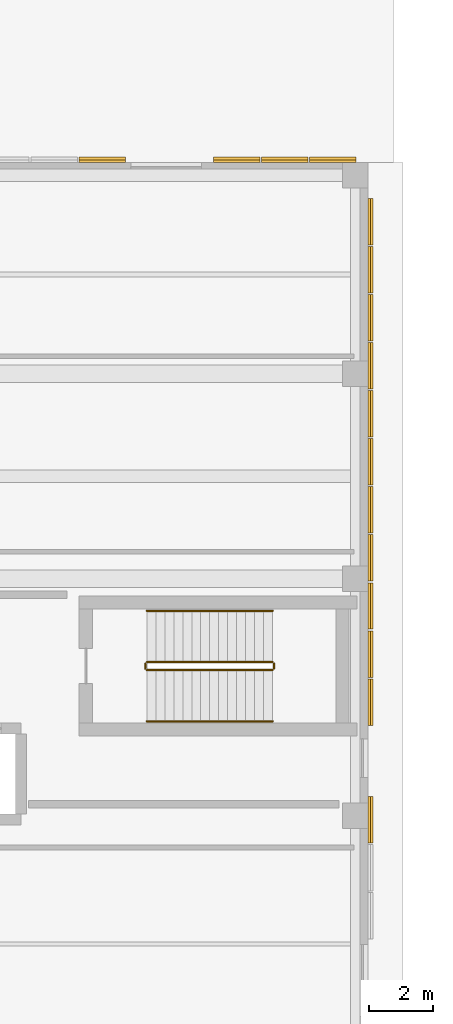
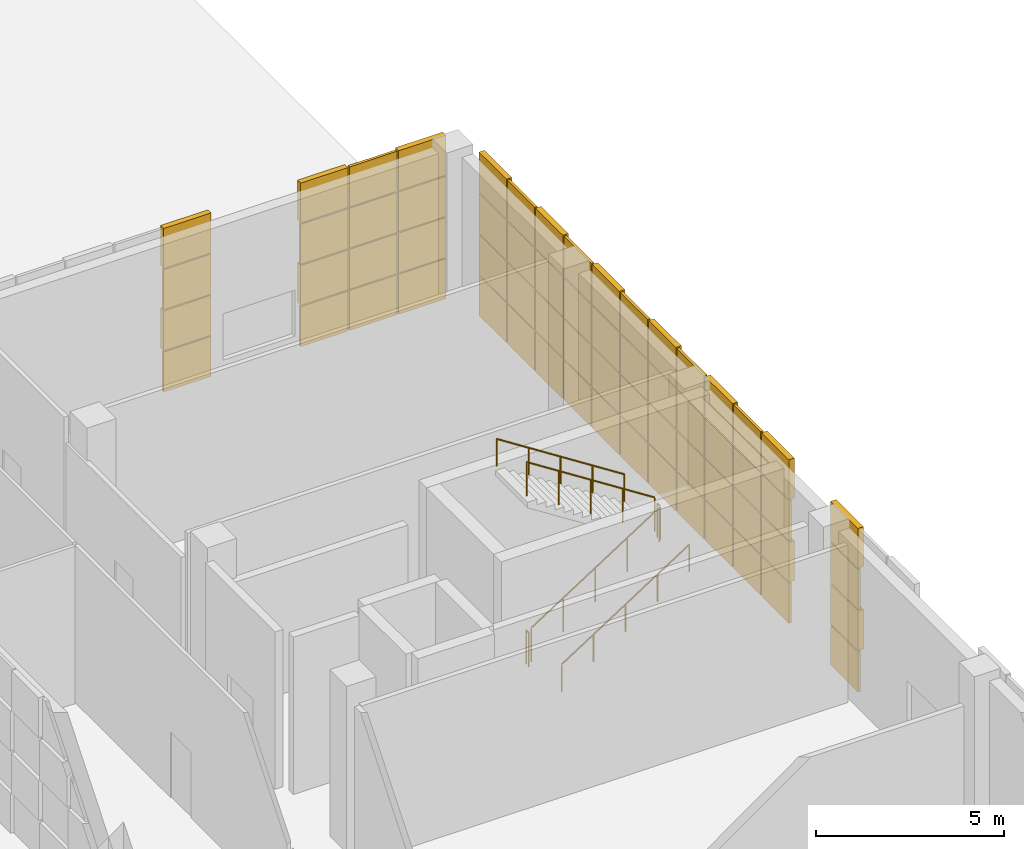
# One storey, part 37 of 40: 64 coverings, 6 railings.
"""IFC4 building model written with IfcOpenShell, lengths in metres."""

from ifc_helpers import new_model, si_unit, direction, frame, origin, origin_2d, place, context, subcontext, project, spatial, rectangle, circle, extrude, material, layer, layer_set, type_object, element, save


model = new_model("IFC4")

# Units and contexts
model_context = context("Model", 3, precision=1e-05, world=origin(), true_north=direction((0.0, 1.0)))
body_context = subcontext(model_context, "Body", "Model", "MODEL_VIEW")
ifc_project = project(units=[si_unit("LENGTHUNIT", "METRE"), si_unit("AREAUNIT", "SQUARE_METRE"), si_unit("VOLUMEUNIT", "CUBIC_METRE"), si_unit("PLANEANGLEUNIT", "RADIAN"), si_unit("MASSUNIT", "GRAM", prefix="KILO")], contexts=[model_context])

# Site, building, storey
site_placement = place(None, origin())
site = spatial("IfcSite", under=ifc_project, at=site_placement, CompositionType="ELEMENT")
building_placement = place(site_placement, origin())
building = spatial("IfcBuilding", under=site, at=building_placement, Name="Qalavern Law Courts", CompositionType="ELEMENT")
storey_placement = place(building_placement, origin())
storey = spatial("IfcBuildingStorey", under=building, at=storey_placement, Name="L00", CompositionType="ELEMENT", Elevation=0.0)

# Coverings
ifc_material_1 = material(Name="Precast concrete C40/50", Category="concrete")
ifc_layer_1 = layer(ifc_material_1, 0.06005859375)
ifc_layer_set_1 = layer_set([ifc_layer_1], Name="Precast concrete C40/50")
covering_type_1 = type_object("IfcCoveringType", Name="ENV-CLD-1", PredefinedType="CLADDING", material=ifc_layer_set_1)
covering_1_placement = place(storey_placement, frame((106.837890625, 65.280029296875, 2.719970703125), z_axis=(0.0, 0.0, 1.0), x_axis=(0.0, 1.0, 0.0)))
element("IfcCovering", 1, at=covering_1_placement, inside=storey, type_object=covering_type_1, Name="Cast drop-relief street-base tile 0871", PredefinedType="CLADDING", context=body_context, shape_type="SweptSolid", body=[
    extrude(rectangle(XDim=1.449951171875, YDim=0.083984375, at=origin_2d()), origin(), (0.0, 0.0, 1.0), 1.294921875),
])
for number, where, z_axis, x_axis, name in (
    (2, (106.8798828125, 68.949951171875, 1.385009765625), (0.0, 0.0, 1.0), (0.0, 1.0, 0.0), "Cast drop-relief street-base tile 0874"),
    (3, (106.8798828125, 70.449951171875, 0.050048828125), (0.0, 0.0, 1.0), (0.0, 1.0, 0.0), "Cast drop-relief street-base tile 0877"),
):
    element("IfcCovering", number, at=place(storey_placement, frame(where, z_axis=z_axis, x_axis=x_axis)), inside=storey, type_object=covering_type_1, Name=name, PredefinedType="CLADDING", context=body_context, shape_type="SweptSolid", body=[
        extrude(rectangle(XDim=1.449951171875, YDim=0.16796875, at=origin_2d()), origin(), (0.0, 0.0, 1.0), 1.294921875),
    ])
for number, where, z_axis, x_axis, name in (
    (4, (106.837890625, 70.449951171875, 4.054931640625), (0.0, 0.0, 1.0), (0.0, 1.0, 0.0), "Cast drop-relief street-base tile 0880"),
    (5, (106.837890625, 71.949951171875, 2.719970703125), (0.0, 0.0, 1.0), (0.0, 1.0, 0.0), "Cast drop-relief street-base tile 0883"),
    (6, (106.837890625, 73.449951171875, 1.385009765625), (0.0, 0.0, 1.0), (0.0, 1.0, 0.0), "Cast drop-relief street-base tile 0886"),
    (7, (106.837890625, 74.949951171875, 0.050048828125), (0.0, 0.0, 1.0), (0.0, 1.0, 0.0), "Cast drop-relief street-base tile 0889"),
):
    element("IfcCovering", number, at=place(storey_placement, frame(where, z_axis=z_axis, x_axis=x_axis)), inside=storey, type_object=covering_type_1, Name=name, PredefinedType="CLADDING", context=body_context, shape_type="SweptSolid", body=[
        extrude(rectangle(XDim=1.449951171875, YDim=0.083984375, at=origin_2d()), origin(), (0.0, 0.0, 1.0), 1.294921875),
    ])
for number, where, z_axis, x_axis, name in (
    (8, (106.8798828125, 74.949951171875, 4.054931640625), (0.0, 0.0, 1.0), (0.0, 1.0, 0.0), "Cast drop-relief street-base tile 0892"),
    (9, (106.8798828125, 76.449951171875, 2.719970703125), (0.0, 0.0, 1.0), (0.0, 1.0, 0.0), "Cast drop-relief street-base tile 0895"),
    (10, (106.8798828125, 77.949951171875, 1.385009765625), (0.0, 0.0, 1.0), (0.0, 1.0, 0.0), "Cast drop-relief street-base tile 0898"),
    (11, (106.8798828125, 79.449951171875, 0.050048828125), (0.0, 0.0, 1.0), (0.0, 1.0, 0.0), "Cast drop-relief street-base tile 0901"),
):
    element("IfcCovering", number, at=place(storey_placement, frame(where, z_axis=z_axis, x_axis=x_axis)), inside=storey, type_object=covering_type_1, Name=name, PredefinedType="CLADDING", context=body_context, shape_type="SweptSolid", body=[
        extrude(rectangle(XDim=1.449951171875, YDim=0.16796875, at=origin_2d()), origin(), (0.0, 0.0, 1.0), 1.294921875),
    ])
for number, where, z_axis, x_axis, name in (
    (12, (106.837890625, 79.449951171875, 4.054931640625), (0.0, 0.0, 1.0), (0.0, 1.0, 0.0), "Cast drop-relief street-base tile 0904"),
    (13, (106.837890625, 80.949951171875, 2.719970703125), (0.0, 0.0, 1.0), (0.0, 1.0, 0.0), "Cast drop-relief street-base tile 0907"),
    (14, (106.837890625, 82.449951171875, 1.385009765625), (0.0, 0.0, 1.0), (0.0, 1.0, 0.0), "Cast drop-relief street-base tile 0910"),
    (15, (106.837890625, 83.949951171875, 0.050048828125), (0.0, 0.0, 1.0), (0.0, 1.0, 0.0), "Cast drop-relief street-base tile 0913"),
):
    element("IfcCovering", number, at=place(storey_placement, frame(where, z_axis=z_axis, x_axis=x_axis)), inside=storey, type_object=covering_type_1, Name=name, PredefinedType="CLADDING", context=body_context, shape_type="SweptSolid", body=[
        extrude(rectangle(XDim=1.449951171875, YDim=0.083984375, at=origin_2d()), origin(), (0.0, 0.0, 1.0), 1.294921875),
    ])
for number, where, z_axis, x_axis, name in (
    (16, (106.8798828125, 83.949951171875, 4.054931640625), (0.0, 0.0, 1.0), (0.0, 1.0, 0.0), "Cast drop-relief street-base tile 0916"),
    (17, (105.699951171875, 85.8798828125, 1.385009765625), (0.0, 0.0, 1.0), (-1.0, 0.0, 0.0), "Cast drop-relief street-base tile 0918"),
    (18, (104.199951171875, 85.8798828125, 0.050048828125), (0.0, 0.0, 1.0), (-1.0, 0.0, 0.0), "Cast drop-relief street-base tile 0921"),
):
    element("IfcCovering", number, at=place(storey_placement, frame(where, z_axis=z_axis, x_axis=x_axis)), inside=storey, type_object=covering_type_1, Name=name, PredefinedType="CLADDING", context=body_context, shape_type="SweptSolid", body=[
        extrude(rectangle(XDim=1.449951171875, YDim=0.16796875, at=origin_2d()), origin(), (0.0, 0.0, 1.0), 1.294921875),
    ])
for number, where, z_axis, x_axis, name in (
    (19, (104.199951171875, 85.837890625, 4.054931640625), (0.0, 0.0, 1.0), (-1.0, 0.0, 0.0), "Cast drop-relief street-base tile 0924"),
    (20, (102.699951171875, 85.837890625, 2.719970703125), (0.0, 0.0, 1.0), (-1.0, 0.0, 0.0), "Cast drop-relief street-base tile 0927"),
):
    element("IfcCovering", number, at=place(storey_placement, frame(where, z_axis=z_axis, x_axis=x_axis)), inside=storey, type_object=covering_type_1, Name=name, PredefinedType="CLADDING", context=body_context, shape_type="SweptSolid", body=[
        extrude(rectangle(XDim=1.449951171875, YDim=0.083984375, at=origin_2d()), origin(), (0.0, 0.0, 1.0), 1.294921875),
    ])
covering_2_placement = place(storey_placement, frame((98.5, 85.8798828125, 1.385009765625), z_axis=(0.0, 0.0, 1.0), x_axis=(-1.0, 0.0, 0.0)))
element("IfcCovering", 21, at=covering_2_placement, inside=storey, type_object=covering_type_1, Name="Cast drop-relief street-base tile 0930", PredefinedType="CLADDING", context=body_context, shape_type="SweptSolid", body=[
    extrude(rectangle(XDim=1.449951171875, YDim=0.16796875, at=origin_2d()), origin(), (0.0, 0.0, 1.0), 1.294921875),
])
ifc_layer_2 = layer(ifc_material_1, 0.072021484375)
ifc_layer_set_2 = layer_set([ifc_layer_2], Name="Precast concrete C40/50")
covering_type_2 = type_object("IfcCoveringType", Name="ENV-CLD-2", PredefinedType="CLADDING", material=ifc_layer_set_2)
covering_3_placement = place(storey_placement, frame((106.837890625, 65.280029296875, 0.050048828125), z_axis=(0.0, 0.0, 1.0), x_axis=(0.0, 1.0, 0.0)))
element("IfcCovering", 22, at=covering_3_placement, inside=storey, type_object=covering_type_2, Name="Cast drop-relief street-base tile 0869", PredefinedType="CLADDING", context=body_context, shape_type="SweptSolid", body=[
    extrude(rectangle(XDim=1.449951171875, YDim=0.083984375, at=origin_2d()), origin(), (0.0, 0.0, 1.0), 1.294921875),
])
covering_4_placement = place(storey_placement, frame((106.8798828125, 65.280029296875, 4.054931640625), z_axis=(0.0, 0.0, 1.0), x_axis=(0.0, 1.0, 0.0)))
element("IfcCovering", 23, at=covering_4_placement, inside=storey, type_object=covering_type_2, Name="Cast drop-relief street-base tile 0872", PredefinedType="CLADDING", context=body_context, shape_type="SweptSolid", body=[
    extrude(rectangle(XDim=1.449951171875, YDim=0.16796875, at=origin_2d()), origin(), (0.0, 0.0, 1.0), 1.294921875),
])
for number, where, z_axis, x_axis, name in (
    (24, (106.837890625, 68.949951171875, 2.719970703125), (0.0, 0.0, 1.0), (0.0, 1.0, 0.0), "Cast drop-relief street-base tile 0875"),
    (25, (106.837890625, 70.449951171875, 1.385009765625), (0.0, 0.0, 1.0), (0.0, 1.0, 0.0), "Cast drop-relief street-base tile 0878"),
    (26, (106.837890625, 71.949951171875, 0.050048828125), (0.0, 0.0, 1.0), (0.0, 1.0, 0.0), "Cast drop-relief street-base tile 0881"),
):
    element("IfcCovering", number, at=place(storey_placement, frame(where, z_axis=z_axis, x_axis=x_axis)), inside=storey, type_object=covering_type_2, Name=name, PredefinedType="CLADDING", context=body_context, shape_type="SweptSolid", body=[
        extrude(rectangle(XDim=1.449951171875, YDim=0.083984375, at=origin_2d()), origin(), (0.0, 0.0, 1.0), 1.294921875),
    ])
for number, where, z_axis, x_axis, name in (
    (27, (106.8798828125, 71.949951171875, 4.054931640625), (0.0, 0.0, 1.0), (0.0, 1.0, 0.0), "Cast drop-relief street-base tile 0884"),
    (28, (106.8798828125, 73.449951171875, 2.719970703125), (0.0, 0.0, 1.0), (0.0, 1.0, 0.0), "Cast drop-relief street-base tile 0887"),
    (29, (106.8798828125, 74.949951171875, 1.385009765625), (0.0, 0.0, 1.0), (0.0, 1.0, 0.0), "Cast drop-relief street-base tile 0890"),
    (30, (106.8798828125, 76.449951171875, 0.050048828125), (0.0, 0.0, 1.0), (0.0, 1.0, 0.0), "Cast drop-relief street-base tile 0893"),
):
    element("IfcCovering", number, at=place(storey_placement, frame(where, z_axis=z_axis, x_axis=x_axis)), inside=storey, type_object=covering_type_2, Name=name, PredefinedType="CLADDING", context=body_context, shape_type="SweptSolid", body=[
        extrude(rectangle(XDim=1.449951171875, YDim=0.16796875, at=origin_2d()), origin(), (0.0, 0.0, 1.0), 1.294921875),
    ])
for number, where, z_axis, x_axis, name in (
    (31, (106.837890625, 76.449951171875, 4.054931640625), (0.0, 0.0, 1.0), (0.0, 1.0, 0.0), "Cast drop-relief street-base tile 0896"),
    (32, (106.837890625, 77.949951171875, 2.719970703125), (0.0, 0.0, 1.0), (0.0, 1.0, 0.0), "Cast drop-relief street-base tile 0899"),
    (33, (106.837890625, 79.449951171875, 1.385009765625), (0.0, 0.0, 1.0), (0.0, 1.0, 0.0), "Cast drop-relief street-base tile 0902"),
    (34, (106.837890625, 80.949951171875, 0.050048828125), (0.0, 0.0, 1.0), (0.0, 1.0, 0.0), "Cast drop-relief street-base tile 0905"),
):
    element("IfcCovering", number, at=place(storey_placement, frame(where, z_axis=z_axis, x_axis=x_axis)), inside=storey, type_object=covering_type_2, Name=name, PredefinedType="CLADDING", context=body_context, shape_type="SweptSolid", body=[
        extrude(rectangle(XDim=1.449951171875, YDim=0.083984375, at=origin_2d()), origin(), (0.0, 0.0, 1.0), 1.294921875),
    ])
for number, where, z_axis, x_axis, name in (
    (35, (106.8798828125, 80.949951171875, 4.054931640625), (0.0, 0.0, 1.0), (0.0, 1.0, 0.0), "Cast drop-relief street-base tile 0908"),
    (36, (106.8798828125, 82.449951171875, 2.719970703125), (0.0, 0.0, 1.0), (0.0, 1.0, 0.0), "Cast drop-relief street-base tile 0911"),
    (37, (106.8798828125, 83.949951171875, 1.385009765625), (0.0, 0.0, 1.0), (0.0, 1.0, 0.0), "Cast drop-relief street-base tile 0914"),
):
    element("IfcCovering", number, at=place(storey_placement, frame(where, z_axis=z_axis, x_axis=x_axis)), inside=storey, type_object=covering_type_2, Name=name, PredefinedType="CLADDING", context=body_context, shape_type="SweptSolid", body=[
        extrude(rectangle(XDim=1.449951171875, YDim=0.16796875, at=origin_2d()), origin(), (0.0, 0.0, 1.0), 1.294921875),
    ])
for number, where, z_axis, x_axis, name in (
    (38, (105.699951171875, 85.837890625, 2.719970703125), (0.0, 0.0, 1.0), (-1.0, 0.0, 0.0), "Cast drop-relief street-base tile 0919"),
    (39, (104.199951171875, 85.837890625, 1.385009765625), (0.0, 0.0, 1.0), (-1.0, 0.0, 0.0), "Cast drop-relief street-base tile 0922"),
    (40, (102.699951171875, 85.837890625, 0.050048828125), (0.0, 0.0, 1.0), (-1.0, 0.0, 0.0), "Cast drop-relief street-base tile 0925"),
):
    element("IfcCovering", number, at=place(storey_placement, frame(where, z_axis=z_axis, x_axis=x_axis)), inside=storey, type_object=covering_type_2, Name=name, PredefinedType="CLADDING", context=body_context, shape_type="SweptSolid", body=[
        extrude(rectangle(XDim=1.449951171875, YDim=0.083984375, at=origin_2d()), origin(), (0.0, 0.0, 1.0), 1.294921875),
    ])
covering_5_placement = place(storey_placement, frame((102.699951171875, 85.8798828125, 4.054931640625), z_axis=(0.0, 0.0, 1.0), x_axis=(-1.0, 0.0, 0.0)))
element("IfcCovering", 41, at=covering_5_placement, inside=storey, type_object=covering_type_2, Name="Cast drop-relief street-base tile 0928", PredefinedType="CLADDING", context=body_context, shape_type="SweptSolid", body=[
    extrude(rectangle(XDim=1.449951171875, YDim=0.16796875, at=origin_2d()), origin(), (0.0, 0.0, 1.0), 1.294921875),
])
covering_6_placement = place(storey_placement, frame((98.5, 85.837890625, 2.719970703125), z_axis=(0.0, 0.0, 1.0), x_axis=(-1.0, 0.0, 0.0)))
element("IfcCovering", 42, at=covering_6_placement, inside=storey, type_object=covering_type_2, Name="Cast drop-relief street-base tile 0931", PredefinedType="CLADDING", context=body_context, shape_type="SweptSolid", body=[
    extrude(rectangle(XDim=1.449951171875, YDim=0.083984375, at=origin_2d()), origin(), (0.0, 0.0, 1.0), 1.294921875),
])
ifc_layer_3 = layer(ifc_material_1, 0.083984375)
ifc_layer_set_3 = layer_set([ifc_layer_3], Name="Precast concrete C40/50")
covering_type_3 = type_object("IfcCoveringType", Name="ENV-CLD-3", PredefinedType="CLADDING", material=ifc_layer_set_3)
covering_7_placement = place(storey_placement, frame((106.8798828125, 65.280029296875, 1.385009765625), z_axis=(0.0, 0.0, 1.0), x_axis=(0.0, 1.0, 0.0)))
element("IfcCovering", 43, at=covering_7_placement, inside=storey, type_object=covering_type_3, Name="Cast drop-relief street-base tile 0870", PredefinedType="CLADDING", context=body_context, shape_type="SweptSolid", body=[
    extrude(rectangle(XDim=1.449951171875, YDim=0.16796875, at=origin_2d()), origin(), (0.0, 0.0, 1.0), 1.294921875),
])
covering_8_placement = place(storey_placement, frame((106.837890625, 68.949951171875, 0.050048828125), z_axis=(0.0, 0.0, 1.0), x_axis=(0.0, 1.0, 0.0)))
element("IfcCovering", 44, at=covering_8_placement, inside=storey, type_object=covering_type_3, Name="Cast drop-relief street-base tile 0873", PredefinedType="CLADDING", context=body_context, shape_type="SweptSolid", body=[
    extrude(rectangle(XDim=1.449951171875, YDim=0.083984375, at=origin_2d()), origin(), (0.0, 0.0, 1.0), 1.294921875),
])
for number, where, z_axis, x_axis, name in (
    (45, (106.8798828125, 68.949951171875, 4.054931640625), (0.0, 0.0, 1.0), (0.0, 1.0, 0.0), "Cast drop-relief street-base tile 0876"),
    (46, (106.8798828125, 70.449951171875, 2.719970703125), (0.0, 0.0, 1.0), (0.0, 1.0, 0.0), "Cast drop-relief street-base tile 0879"),
    (47, (106.8798828125, 71.949951171875, 1.385009765625), (0.0, 0.0, 1.0), (0.0, 1.0, 0.0), "Cast drop-relief street-base tile 0882"),
    (48, (106.8798828125, 73.449951171875, 0.050048828125), (0.0, 0.0, 1.0), (0.0, 1.0, 0.0), "Cast drop-relief street-base tile 0885"),
):
    element("IfcCovering", number, at=place(storey_placement, frame(where, z_axis=z_axis, x_axis=x_axis)), inside=storey, type_object=covering_type_3, Name=name, PredefinedType="CLADDING", context=body_context, shape_type="SweptSolid", body=[
        extrude(rectangle(XDim=1.449951171875, YDim=0.16796875, at=origin_2d()), origin(), (0.0, 0.0, 1.0), 1.294921875),
    ])
for number, where, z_axis, x_axis, name in (
    (49, (106.837890625, 73.449951171875, 4.054931640625), (0.0, 0.0, 1.0), (0.0, 1.0, 0.0), "Cast drop-relief street-base tile 0888"),
    (50, (106.837890625, 74.949951171875, 2.719970703125), (0.0, 0.0, 1.0), (0.0, 1.0, 0.0), "Cast drop-relief street-base tile 0891"),
    (51, (106.837890625, 76.449951171875, 1.385009765625), (0.0, 0.0, 1.0), (0.0, 1.0, 0.0), "Cast drop-relief street-base tile 0894"),
    (52, (106.837890625, 77.949951171875, 0.050048828125), (0.0, 0.0, 1.0), (0.0, 1.0, 0.0), "Cast drop-relief street-base tile 0897"),
):
    element("IfcCovering", number, at=place(storey_placement, frame(where, z_axis=z_axis, x_axis=x_axis)), inside=storey, type_object=covering_type_3, Name=name, PredefinedType="CLADDING", context=body_context, shape_type="SweptSolid", body=[
        extrude(rectangle(XDim=1.449951171875, YDim=0.083984375, at=origin_2d()), origin(), (0.0, 0.0, 1.0), 1.294921875),
    ])
for number, where, z_axis, x_axis, name in (
    (53, (106.8798828125, 77.949951171875, 4.054931640625), (0.0, 0.0, 1.0), (0.0, 1.0, 0.0), "Cast drop-relief street-base tile 0900"),
    (54, (106.8798828125, 79.449951171875, 2.719970703125), (0.0, 0.0, 1.0), (0.0, 1.0, 0.0), "Cast drop-relief street-base tile 0903"),
    (55, (106.8798828125, 80.949951171875, 1.385009765625), (0.0, 0.0, 1.0), (0.0, 1.0, 0.0), "Cast drop-relief street-base tile 0906"),
    (56, (106.8798828125, 82.449951171875, 0.050048828125), (0.0, 0.0, 1.0), (0.0, 1.0, 0.0), "Cast drop-relief street-base tile 0909"),
):
    element("IfcCovering", number, at=place(storey_placement, frame(where, z_axis=z_axis, x_axis=x_axis)), inside=storey, type_object=covering_type_3, Name=name, PredefinedType="CLADDING", context=body_context, shape_type="SweptSolid", body=[
        extrude(rectangle(XDim=1.449951171875, YDim=0.16796875, at=origin_2d()), origin(), (0.0, 0.0, 1.0), 1.294921875),
    ])
for number, where, z_axis, x_axis, name in (
    (57, (106.837890625, 82.449951171875, 4.054931640625), (0.0, 0.0, 1.0), (0.0, 1.0, 0.0), "Cast drop-relief street-base tile 0912"),
    (58, (106.837890625, 83.949951171875, 2.719970703125), (0.0, 0.0, 1.0), (0.0, 1.0, 0.0), "Cast drop-relief street-base tile 0915"),
    (59, (105.699951171875, 85.837890625, 0.050048828125), (0.0, 0.0, 1.0), (-1.0, 0.0, 0.0), "Cast drop-relief street-base tile 0917"),
):
    element("IfcCovering", number, at=place(storey_placement, frame(where, z_axis=z_axis, x_axis=x_axis)), inside=storey, type_object=covering_type_3, Name=name, PredefinedType="CLADDING", context=body_context, shape_type="SweptSolid", body=[
        extrude(rectangle(XDim=1.449951171875, YDim=0.083984375, at=origin_2d()), origin(), (0.0, 0.0, 1.0), 1.294921875),
    ])
for number, where, z_axis, x_axis, name in (
    (60, (105.699951171875, 85.8798828125, 4.054931640625), (0.0, 0.0, 1.0), (-1.0, 0.0, 0.0), "Cast drop-relief street-base tile 0920"),
    (61, (104.199951171875, 85.8798828125, 2.719970703125), (0.0, 0.0, 1.0), (-1.0, 0.0, 0.0), "Cast drop-relief street-base tile 0923"),
    (62, (102.699951171875, 85.8798828125, 1.385009765625), (0.0, 0.0, 1.0), (-1.0, 0.0, 0.0), "Cast drop-relief street-base tile 0926"),
):
    element("IfcCovering", number, at=place(storey_placement, frame(where, z_axis=z_axis, x_axis=x_axis)), inside=storey, type_object=covering_type_3, Name=name, PredefinedType="CLADDING", context=body_context, shape_type="SweptSolid", body=[
        extrude(rectangle(XDim=1.449951171875, YDim=0.16796875, at=origin_2d()), origin(), (0.0, 0.0, 1.0), 1.294921875),
    ])
covering_9_placement = place(storey_placement, frame((98.5, 85.837890625, 0.050048828125), z_axis=(0.0, 0.0, 1.0), x_axis=(-1.0, 0.0, 0.0)))
element("IfcCovering", 63, at=covering_9_placement, inside=storey, type_object=covering_type_3, Name="Cast drop-relief street-base tile 0929", PredefinedType="CLADDING", context=body_context, shape_type="SweptSolid", body=[
    extrude(rectangle(XDim=1.449951171875, YDim=0.083984375, at=origin_2d()), origin(), (0.0, 0.0, 1.0), 1.294921875),
])
covering_10_placement = place(storey_placement, frame((98.5, 85.8798828125, 4.054931640625), z_axis=(0.0, 0.0, 1.0), x_axis=(-1.0, 0.0, 0.0)))
element("IfcCovering", 64, at=covering_10_placement, inside=storey, type_object=covering_type_3, Name="Cast drop-relief street-base tile 0932", PredefinedType="CLADDING", context=body_context, shape_type="SweptSolid", body=[
    extrude(rectangle(XDim=1.449951171875, YDim=0.16796875, at=origin_2d()), origin(), (0.0, 0.0, 1.0), 1.294921875),
])

# Railings
ifc_material_2 = material(Name="Steel S355", Category="steel")
railing_type_1 = type_object("IfcRailingType", Name="INT-GUARD-1120", PredefinedType="BALUSTRADE", material=ifc_material_2)
railing_1_placement = place(storey_placement, frame((99.89990234375, 69.949951171875, 0.179931640625)))
element("IfcRailing", 65, at=railing_1_placement, inside=storey, type_object=railing_type_1, Name="L00 ST-K1B stair guard 1", PredefinedType="BALUSTRADE", context=body_context, shape_type="SweptSolid", body=[
    extrude(circle(Radius=0.02392578125, at=origin_2d()), frame((0.0, 0.0, 1.09619140625), z_axis=(0.841186985886, 0.0, 0.540744352514), x_axis=(0.0, 1.0, 0.0)), (0.0, 0.0, 1.0), 4.660400390625),
    extrude(circle(Radius=0.02099609375, at=origin_2d()), origin(), (0.0, 0.0, 1.0), 1.072021484375),
    extrude(circle(Radius=0.02099609375, at=origin_2d()), frame((0.97998046875, 0.0, 0.6298828125)), (0.0, 0.0, 1.0), 1.072021484375),
    extrude(circle(Radius=0.02099609375, at=origin_2d()), frame((1.9599609375, 0.0, 1.260009765625)), (0.0, 0.0, 1.0), 1.072021484375),
    extrude(circle(Radius=0.02099609375, at=origin_2d()), frame((2.940185546875, 0.0, 1.89013671875)), (0.0, 0.0, 1.0), 1.072021484375),
    extrude(circle(Radius=0.02099609375, at=origin_2d()), frame((3.920166015625, 0.0, 2.52001953125)), (0.0, 0.0, 1.0), 1.072021484375),
])
railing_2_placement = place(storey_placement, frame((103.8701171875, 70.0, 2.699951171875)))
element("IfcRailing", 66, at=railing_2_placement, inside=storey, type_object=railing_type_1, Name="L00 ST-K1B stair guard 2", PredefinedType="BALUSTRADE", context=body_context, shape_type="SweptSolid", body=[
    extrude(circle(Radius=0.02392578125, at=origin_2d()), frame((0.0, 0.0, 1.09619140625), z_axis=(0.0, 1.0, 0.0), x_axis=(-1.0, 0.0, 0.0)), (0.0, 0.0, 1.0), 0.14990234375),
    extrude(circle(Radius=0.02099609375, at=origin_2d()), origin(), (0.0, 0.0, 1.0), 1.072021484375),
    extrude(circle(Radius=0.02099609375, at=origin_2d()), frame((0.0, 0.14990234375, 0.0)), (0.0, 0.0, 1.0), 1.072021484375),
])
railing_3_placement = place(storey_placement, frame((103.820068359375, 70.199951171875, 2.8798828125)))
element("IfcRailing", 67, at=railing_3_placement, inside=storey, type_object=railing_type_1, Name="L00 ST-K1B stair guard 3", PredefinedType="BALUSTRADE", context=body_context, shape_type="SweptSolid", body=[
    extrude(circle(Radius=0.02392578125, at=origin_2d()), frame((0.0, 0.0, 1.09619140625), z_axis=(-0.841186985886, 0.0, 0.540744352514), x_axis=(0.0, -1.0, 0.0)), (0.0, 0.0, 1.0), 4.660400390625),
    extrude(circle(Radius=0.02099609375, at=origin_2d()), origin(), (0.0, 0.0, 1.0), 1.072021484375),
    extrude(circle(Radius=0.02099609375, at=origin_2d()), frame((-0.97998046875, 0.0, 0.6298828125)), (0.0, 0.0, 1.0), 1.072021484375),
    extrude(circle(Radius=0.02099609375, at=origin_2d()), frame((-1.9599609375, 0.0, 1.260009765625)), (0.0, 0.0, 1.0), 1.072021484375),
    extrude(circle(Radius=0.02099609375, at=origin_2d()), frame((-2.940185546875, 0.0, 1.89013671875)), (0.0, 0.0, 1.0), 1.072021484375),
    extrude(circle(Radius=0.02099609375, at=origin_2d()), frame((-3.920166015625, 0.0, 2.52001953125)), (0.0, 0.0, 1.0), 1.072021484375),
])
railing_4_placement = place(storey_placement, frame((99.85009765625, 70.0, 0.0)))
element("IfcRailing", 68, at=railing_4_placement, inside=storey, type_object=railing_type_1, Name="L00 ST-K1B stair guard 4", PredefinedType="BALUSTRADE", context=body_context, shape_type="SweptSolid", body=[
    extrude(circle(Radius=0.02392578125, at=origin_2d()), frame((0.0, 0.0, 1.09619140625), z_axis=(0.0, 1.0, 0.0), x_axis=(-1.0, 0.0, 0.0)), (0.0, 0.0, 1.0), 0.14990234375),
    extrude(circle(Radius=0.02099609375, at=origin_2d()), origin(), (0.0, 0.0, 1.0), 1.072021484375),
    extrude(circle(Radius=0.02099609375, at=origin_2d()), frame((0.0, 0.14990234375, 0.0)), (0.0, 0.0, 1.0), 1.072021484375),
])
railing_type_2 = type_object("IfcRailingType", Name="INT-HRAIL-920", PredefinedType="HANDRAIL", material=ifc_material_2)
railing_5_placement = place(storey_placement, frame((99.89990234375, 68.35009765625, 0.179931640625)))
element("IfcRailing", 69, at=railing_5_placement, inside=storey, type_object=railing_type_2, Name="L00 ST-K1B stair handrail 1", PredefinedType="HANDRAIL", context=body_context, shape_type="SweptSolid", body=[
    extrude(circle(Radius=0.02392578125, at=origin_2d()), frame((0.0, 0.0, 0.8759765625), z_axis=(0.841186985886, 0.0, 0.540744352514), x_axis=(0.0, 1.0, 0.0)), (0.0, 0.0, 1.0), 4.660400390625),
    extrude(circle(Radius=0.02099609375, at=origin_2d()), origin(), (0.0, 0.0, 1.0), 0.851806640625),
    extrude(circle(Radius=0.02099609375, at=origin_2d()), frame((0.97998046875, 0.0, 0.6298828125)), (0.0, 0.0, 1.0), 0.851806640625),
    extrude(circle(Radius=0.02099609375, at=origin_2d()), frame((1.9599609375, 0.0, 1.260009765625)), (0.0, 0.0, 1.0), 0.851806640625),
    extrude(circle(Radius=0.02099609375, at=origin_2d()), frame((2.940185546875, 0.0, 1.89013671875)), (0.0, 0.0, 1.0), 0.851806640625),
    extrude(circle(Radius=0.02099609375, at=origin_2d()), frame((3.920166015625, 0.0, 2.52001953125)), (0.0, 0.0, 1.0), 0.851806640625),
])
railing_6_placement = place(storey_placement, frame((103.820068359375, 71.800048828125, 2.8798828125)))
element("IfcRailing", 70, at=railing_6_placement, inside=storey, type_object=railing_type_2, Name="L00 ST-K1B stair handrail 2", PredefinedType="HANDRAIL", context=body_context, shape_type="SweptSolid", body=[
    extrude(circle(Radius=0.02392578125, at=origin_2d()), frame((0.0, 0.0, 0.8759765625), z_axis=(-0.841186985886, 0.0, 0.540744352514), x_axis=(0.0, -1.0, 0.0)), (0.0, 0.0, 1.0), 4.660400390625),
    extrude(circle(Radius=0.02099609375, at=origin_2d()), origin(), (0.0, 0.0, 1.0), 0.851806640625),
    extrude(circle(Radius=0.02099609375, at=origin_2d()), frame((-0.97998046875, 0.0, 0.6298828125)), (0.0, 0.0, 1.0), 0.851806640625),
    extrude(circle(Radius=0.02099609375, at=origin_2d()), frame((-1.9599609375, 0.0, 1.260009765625)), (0.0, 0.0, 1.0), 0.851806640625),
    extrude(circle(Radius=0.02099609375, at=origin_2d()), frame((-2.940185546875, 0.0, 1.89013671875)), (0.0, 0.0, 1.0), 0.851806640625),
    extrude(circle(Radius=0.02099609375, at=origin_2d()), frame((-3.920166015625, 0.0, 2.52001953125)), (0.0, 0.0, 1.0), 0.851806640625),
])

save(model, "model.ifc")
